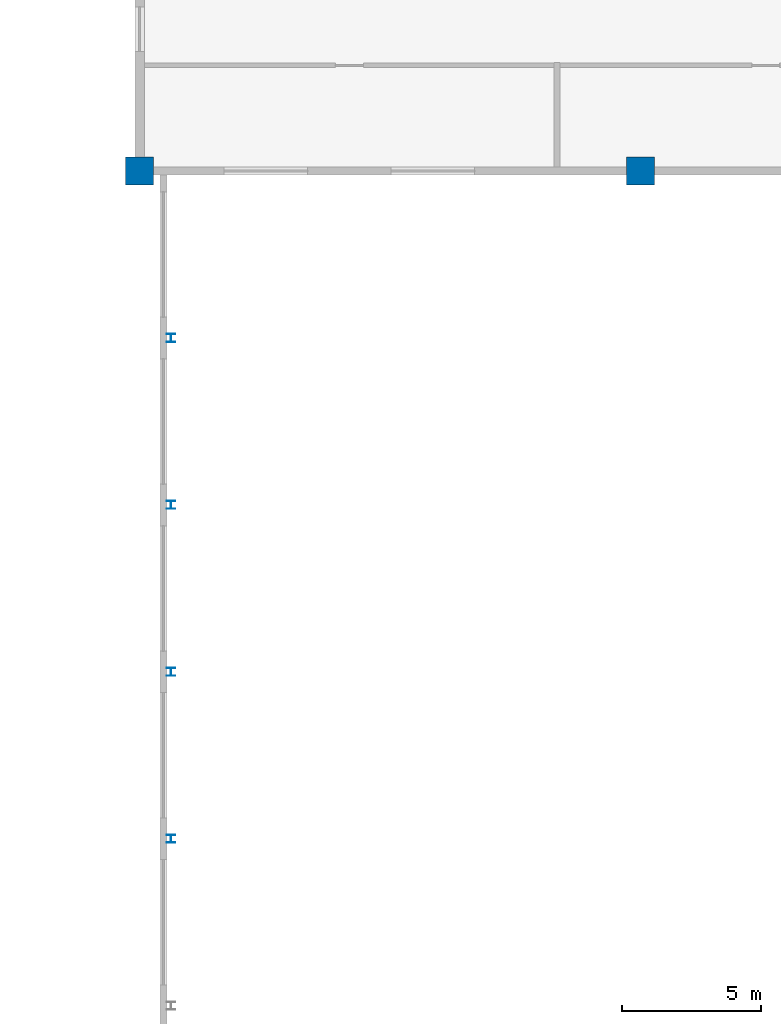
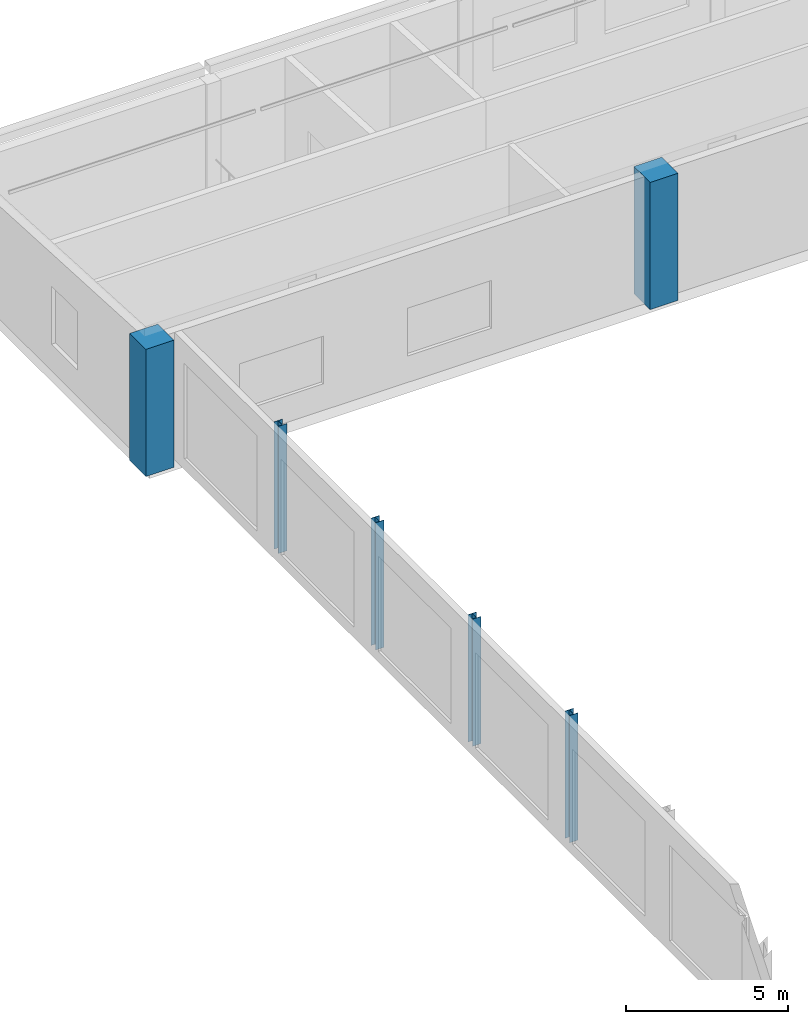
# One storey, part 20 of 182: 6 columns.
"""IFC4 building model written with IfcOpenShell, lengths in metres."""

from ifc_helpers import new_model, si_unit, direction, frame, origin, origin_2d, place, context, subcontext, project, spatial, rectangle, i_section, extrude, material, material_profile, profile_set, type_object, element, save


model = new_model("IFC4")

# Units and contexts
model_context = context("Model", 3, precision=1e-05, world=origin(), true_north=direction((0.0, 1.0)))
body_context = subcontext(model_context, "Body", "Model", "MODEL_VIEW")
ifc_project = project(units=[si_unit("LENGTHUNIT", "METRE"), si_unit("AREAUNIT", "SQUARE_METRE"), si_unit("VOLUMEUNIT", "CUBIC_METRE"), si_unit("PLANEANGLEUNIT", "RADIAN"), si_unit("MASSUNIT", "GRAM", prefix="KILO")], contexts=[model_context])

# Site, building, storey
site_placement = place(None, origin())
site = spatial("IfcSite", under=ifc_project, at=site_placement, CompositionType="ELEMENT")
building_placement = place(site_placement, origin())
building = spatial("IfcBuilding", under=site, at=building_placement, Name="Okhra Congress Centre", CompositionType="ELEMENT")
storey_placement = place(building_placement, frame((0.0, 0.0, 7.199951171875)))
storey = spatial("IfcBuildingStorey", under=building, at=storey_placement, Name="L01", CompositionType="ELEMENT", Elevation=7.199951171875)

# Columns
ifc_material_1 = material(Name="Steel S355J2", Category="steel")
ifc_material_profile_1 = material_profile(ifc_material_1, i_section(OverallWidth=0.300048828125, OverallDepth=0.2900390625, WebThickness=0.008544921875, FlangeThickness=0.013916015625, at=origin_2d()), Name="HE 300 A")
ifc_profile_set_1 = profile_set([ifc_material_profile_1], Name="Steel S355J2")
column_type_1 = type_object("IfcColumnType", Name="HE 300 A", PredefinedType="COLUMN", material=ifc_profile_set_1)
for number, where, z_axis, x_axis, name in (
    (1, (29.125, 192.0, 0.0), (0.0, 0.0, 1.0), (1.0, 0.0, 0.0), "EH.COL.L01.WP33"),
    (2, (29.125, 198.0, 0.0), (0.0, 0.0, 1.0), (1.0, 0.0, 0.0), "EH.COL.L01.WP35"),
    (3, (29.125, 204.0, 0.0), (0.0, 0.0, 1.0), (1.0, 0.0, 0.0), "EH.COL.L01.WP37"),
    (4, (29.125, 210.0, 0.0), (0.0, 0.0, 1.0), (1.0, 0.0, 0.0), "EH.COL.L01.WP39"),
):
    element("IfcColumn", number, at=place(storey_placement, frame(where, z_axis=z_axis, x_axis=x_axis)), inside=storey, type_object=column_type_1, Name=name, PredefinedType="COLUMN", context=body_context, shape_type="SweptSolid", body=[
        extrude(i_section(OverallWidth=0.300048828125, OverallDepth=0.2900390625, WebThickness=0.008544921875, FlangeThickness=0.013916015625, at=origin_2d()), origin(), (0.0, 0.0, 1.0), 4.800048828125),
    ])
ifc_material_2 = material(Name="Concrete C40/50", Category="concrete")
ifc_material_profile_2 = material_profile(ifc_material_2, rectangle(XDim=1.0, YDim=1.0, at=origin_2d()), Name="RC 1000x1000")
ifc_profile_set_2 = profile_set([ifc_material_profile_2], Name="Concrete C40/50")
column_type_2 = type_object("IfcColumnType", Name="RC column 1000x1000 C40/50", PredefinedType="COLUMN", material=ifc_profile_set_2)
for number, where, z_axis, x_axis, name in (
    (5, (28.0, 216.0, 0.0), (0.0, 0.0, 1.0), (1.0, 0.0, 0.0), "EH.COL.L01.SC2"),
    (6, (46.0, 216.0, 0.0), (0.0, 0.0, 1.0), (1.0, 0.0, 0.0), "EH.COL.L01.SC4"),
):
    element("IfcColumn", number, at=place(storey_placement, frame(where, z_axis=z_axis, x_axis=x_axis)), inside=storey, type_object=column_type_2, Name=name, PredefinedType="COLUMN", context=body_context, shape_type="SweptSolid", body=[
        extrude(rectangle(XDim=1.0, YDim=1.0, at=origin_2d()), origin(), (0.0, 0.0, 1.0), 4.800048828125),
    ])

save(model, "model.ifc")
